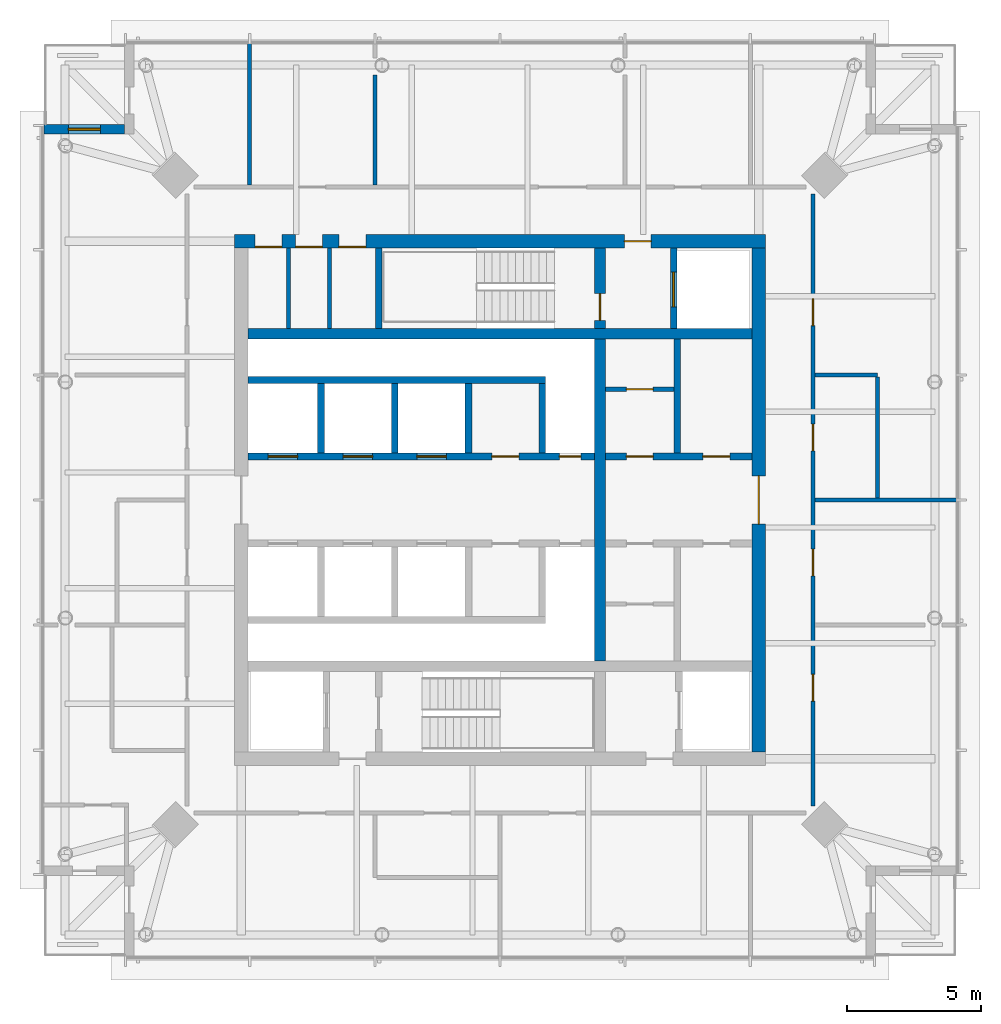
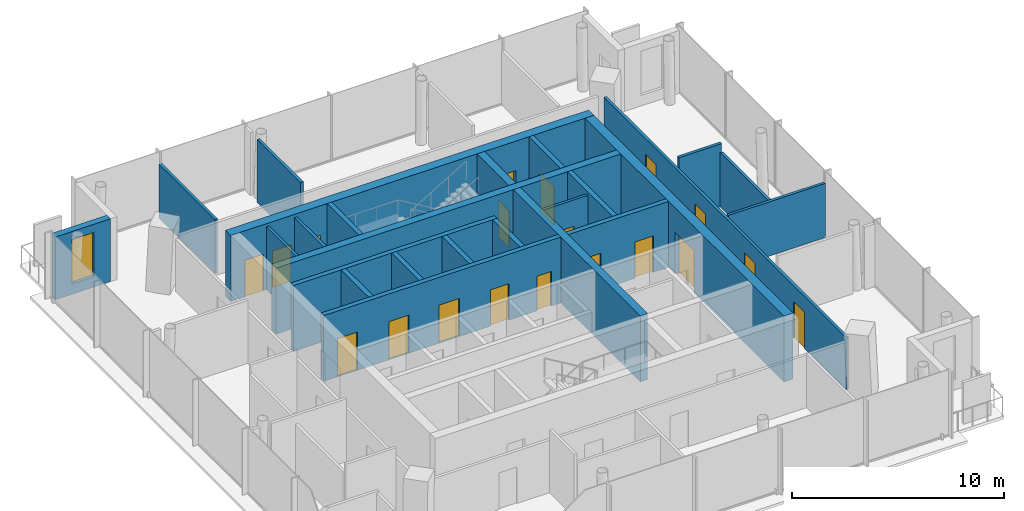
# One storey, part 5 of 9: 25 walls, 19 doors, 1 window, 20 openings.
"""IFC4 building model written with IfcOpenShell, lengths in metres."""

from ifc_helpers import new_model, si_unit, direction, frame, frame_2d, origin, place, context, subcontext, project, spatial, rectangle, extrude, material, layer, layer_set, type_object, element, fill, save


model = new_model("IFC4")

# Units and contexts
model_context = context("Model", 3, precision=1e-05, world=origin(), true_north=direction((0.0, 1.0)))
body_context = subcontext(model_context, "Body", "Model", "MODEL_VIEW")
ifc_project = project(units=[si_unit("LENGTHUNIT", "METRE"), si_unit("AREAUNIT", "SQUARE_METRE"), si_unit("VOLUMEUNIT", "CUBIC_METRE"), si_unit("PLANEANGLEUNIT", "RADIAN"), si_unit("MASSUNIT", "GRAM", prefix="KILO")], contexts=[model_context])

# Site, building, storey
site_placement = place(None, origin())
site = spatial("IfcSite", under=ifc_project, at=site_placement, CompositionType="ELEMENT")
building_placement = place(site_placement, origin())
building = spatial("IfcBuilding", under=site, at=building_placement, Name="Ostroluk Exchange", CompositionType="ELEMENT")
storey_placement = place(building_placement, frame((0.0, 0.0, 264.199951171875)))
storey = spatial("IfcBuildingStorey", under=building, at=storey_placement, Name="L68", CompositionType="ELEMENT", Elevation=264.199951171875)

# Walls
ifc_material_1 = material(Name="Concrete blockwork", Category="masonry")
ifc_layer_1 = layer(ifc_material_1, 0.14990234375)
ifc_layer_set_1 = layer_set([ifc_layer_1], Name="Blockwork plant room wall 150")
wall_type_1 = type_object("IfcWallType", Name="Blockwork plant room wall 150", PredefinedType="SOLIDWALL", material=ifc_layer_set_1)
for number, where, z_axis, x_axis, name in (
    (1, (37.1201171875, 52.39990234375, 0.0), (0.0, 0.0, 1.0), (0.0, 1.0, 0.0), "Core room wall"),
    (2, (38.639892578125, 52.39990234375, 0.0), (0.0, 0.0, 1.0), (0.0, 1.0, 0.0), "Core room wall"),
):
    element("IfcWall", number, at=place(storey_placement, frame(where, z_axis=z_axis, x_axis=x_axis)), inside=storey, type_object=wall_type_1, Name=name, PredefinedType="SOLIDWALL", context=body_context, shape_type="SweptSolid", body=[
        extrude(rectangle(XDim=3.0, YDim=0.14990234375, at=frame_2d((1.5, 0.0))), origin(), (0.0, 0.0, 1.0), 3.6201171875),
    ])

# Wall, opening, door
wall_1_placement = place(storey_placement, frame((48.929931640625, 50.1298828125, 0.0), z_axis=(0.0, 0.0, 1.0), x_axis=(1.0, 0.0, 0.0)))
wall_1 = element("IfcWall", 3, at=wall_1_placement, inside=storey, type_object=wall_type_1, Name="Core room wall", PredefinedType="SOLIDWALL", context=body_context, shape_type="SweptSolid", body=[
    extrude(rectangle(XDim=2.56005859375, YDim=0.14990234375, at=frame_2d((1.280029296875, 0.0))), origin(), (0.0, 0.0, 1.0), 3.6201171875),
])
opening_1_placement = place(wall_1_placement, frame((0.780029296875, 0.0, 0.0)))
opening_1 = element("IfcOpeningElement", 4, at=opening_1_placement, cuts=wall_1, Name="Opening FD60", PredefinedType="OPENING", context=body_context, shape_type="SweptSolid", body=[
    extrude(rectangle(XDim=1.0, YDim=2.10009765625, at=frame_2d((0.5, 1.050048828125))), frame((0.0, 0.0849609375, 0.0), z_axis=(0.0, -1.0, 0.0), x_axis=(1.0, 0.0, 0.0)), (0.0, 0.0, 1.0), 0.169921875),
])
ifc_material_2 = material(Name="Steel", Category="steel")
door_type_1 = type_object("IfcDoorType", Name="Fire door EI 60 1000 x 2100", OperationType="SINGLE_SWING_LEFT", PredefinedType="DOOR", material=ifc_material_2)
door_1_placement = place(opening_1_placement, origin())
door_1 = element("IfcDoor", 5, at=door_1_placement, inside=storey, type_object=door_type_1, Name="Cleaner's store door", OperationType="SINGLE_SWING_LEFT", OverallHeight=2.10009765625, OverallWidth=1.0, PredefinedType="DOOR", context=body_context, shape_type="SweptSolid", body=[
    extrude(rectangle(XDim=1.0, YDim=2.10009765625, at=frame_2d((0.5, 1.050048828125))), frame((0.0, 0.02490234375, 0.0), z_axis=(0.0, -1.0, 0.0), x_axis=(1.0, 0.0, 0.0)), (0.0, 0.0, 1.0), 0.050048828125),
])
fill(opening_1, door_1)

# Walls
ifc_material_3 = material(Name="Concrete C50/60", Category="concrete")
ifc_layer_2 = layer(ifc_material_3, 0.39990234375)
ifc_layer_set_2 = layer_set([ifc_layer_2], Name="Core cross wall 400 C50/60")
wall_type_2 = type_object("IfcWallType", Name="Core cross wall 400 C50/60", PredefinedType="SHEAR", material=ifc_layer_set_2)
wall_2_placement = place(storey_placement, frame((35.60009765625, 52.199951171875, 0.0), z_axis=(0.0, 0.0, 1.0), x_axis=(1.0, 0.0, 0.0)))
element("IfcWall", 6, at=wall_2_placement, inside=storey, type_object=wall_type_2, Name="T1 core wall XN", PredefinedType="SHEAR", context=body_context, shape_type="SweptSolid", body=[
    extrude(rectangle(XDim=18.7998046875, YDim=0.39990234375, at=frame_2d((9.39990234375, 0.0))), origin(), (0.0, 0.0, 1.0), 3.800048828125),
])
wall_3_placement = place(storey_placement, frame((48.72998046875, 40.0, 0.0), z_axis=(0.0, 0.0, 1.0), x_axis=(0.0, 1.0, 0.0)))
element("IfcWall", 7, at=wall_3_placement, inside=storey, type_object=wall_type_2, Name="T1 core wall YE2", PredefinedType="SHEAR", context=body_context, shape_type="SweptSolid", body=[
    extrude(rectangle(XDim=12.0, YDim=0.39990234375, at=frame_2d((6.0, 0.0))), origin(), (0.0, 0.0, 1.0), 3.800048828125),
])

# Wall, opening, door
wall_4_placement = place(storey_placement, frame((48.72998046875, 52.39990234375, 0.0), z_axis=(0.0, 0.0, 1.0), x_axis=(0.0, 1.0, 0.0)))
wall_4 = element("IfcWall", 8, at=wall_4_placement, inside=storey, type_object=wall_type_2, Name="T1 core wall YE3", PredefinedType="SHEAR", context=body_context, shape_type="SweptSolid", body=[
    extrude(rectangle(XDim=3.0, YDim=0.39990234375, at=frame_2d((1.5, 0.0))), origin(), (0.0, 0.0, 1.0), 3.800048828125),
])
opening_2_placement = place(wall_4_placement, frame((0.300048828125, 0.0, 0.0)))
opening_2 = element("IfcOpeningElement", 9, at=opening_2_placement, cuts=wall_4, Name="Opening FD60", PredefinedType="OPENING", context=body_context, shape_type="SweptSolid", body=[
    extrude(rectangle(XDim=1.0, YDim=2.10009765625, at=frame_2d((0.5, 1.050048828125))), frame((0.0, 0.2099609375, 0.0), z_axis=(0.0, -1.0, 0.0), x_axis=(1.0, 0.0, 0.0)), (0.0, 0.0, 1.0), 0.419921875),
])
door_2_placement = place(opening_2_placement, origin())
door_2 = element("IfcDoor", 10, at=door_2_placement, inside=storey, type_object=door_type_1, Name="Stair T1-S2 door", OperationType="SINGLE_SWING_LEFT", OverallHeight=2.10009765625, OverallWidth=1.0, PredefinedType="DOOR", context=body_context, shape_type="SweptSolid", body=[
    extrude(rectangle(XDim=1.0, YDim=2.10009765625, at=frame_2d((0.5, 1.050048828125))), frame((0.0, 0.02490234375, 0.0), z_axis=(0.0, -1.0, 0.0), x_axis=(1.0, 0.0, 0.0)), (0.0, 0.0, 1.0), 0.050048828125),
])
fill(opening_2, door_2)

# Wall
ifc_material_4 = material(Name="Concrete C40/50", Category="concrete")
ifc_layer_3 = layer(ifc_material_4, 0.25)
ifc_layer_set_3 = layer_set([ifc_layer_3], Name="Core shaft wall 250")
wall_type_3 = type_object("IfcWallType", Name="Core shaft wall 250", PredefinedType="SHEAR", material=ifc_layer_set_3)
wall_5_placement = place(storey_placement, frame((40.47509765625, 52.39990234375, 0.0), z_axis=(0.0, 0.0, 1.0), x_axis=(0.0, 1.0, 0.0)))
element("IfcWall", 11, at=wall_5_placement, inside=storey, type_object=wall_type_3, Name="Stair shaft wall", PredefinedType="SHEAR", context=body_context, shape_type="SweptSolid", body=[
    extrude(rectangle(XDim=3.0, YDim=0.25, at=frame_2d((1.5, 0.0))), origin(), (0.0, 0.0, 1.0), 3.800048828125),
])

# Wall, opening, door
wall_6_placement = place(storey_placement, frame((51.47509765625, 52.39990234375, 0.0), z_axis=(0.0, 0.0, 1.0), x_axis=(0.0, 1.0, 0.0)))
wall_6 = element("IfcWall", 12, at=wall_6_placement, inside=storey, type_object=wall_type_3, Name="Firefighting lift shaft wall", PredefinedType="SHEAR", context=body_context, shape_type="SweptSolid", body=[
    extrude(rectangle(XDim=3.0, YDim=0.25, at=frame_2d((1.5, 0.0))), origin(), (0.0, 0.0, 1.0), 3.800048828125),
])
opening_3_placement = place(wall_6_placement, frame((0.800048828125, 0.0, 0.0)))
opening_3 = element("IfcOpeningElement", 13, at=opening_3_placement, cuts=wall_6, Name="Opening LD2", PredefinedType="OPENING", context=body_context, shape_type="SweptSolid", body=[
    extrude(rectangle(XDim=1.300048828125, YDim=2.199951171875, at=frame_2d((0.64990234375, 1.10009765625))), frame((0.0, 0.135009765625, 0.0), z_axis=(0.0, -1.0, 0.0), x_axis=(1.0, 0.0, 0.0)), (0.0, 0.0, 1.0), 0.27001953125),
])
ifc_material_5 = material(Name="Stainless steel", Category="steel")
door_type_2 = type_object("IfcDoorType", Name="Lift landing door E 60 1300 x 2200", OperationType="DOUBLE_DOOR_SLIDING", PredefinedType="DOOR", material=ifc_material_5)
door_3_placement = place(opening_3_placement, origin())
door_3 = element("IfcDoor", 14, at=door_3_placement, inside=storey, type_object=door_type_2, Name="Lift FL2 landing door", OperationType="DOUBLE_DOOR_SLIDING", OverallHeight=2.199951171875, OverallWidth=1.300048828125, PredefinedType="DOOR", context=body_context, shape_type="SweptSolid", body=[
    extrude(rectangle(XDim=1.300048828125, YDim=2.199951171875, at=frame_2d((0.64990234375, 1.10009765625))), frame((0.0, 0.02490234375, 0.0), z_axis=(0.0, -1.0, 0.0), x_axis=(1.0, 0.0, 0.0)), (0.0, 0.0, 1.0), 0.050048828125),
])
fill(opening_3, door_3)

# Walls
for number, where, z_axis, x_axis, name in (
    (15, (38.324951171875, 47.75, 0.0), (0.0, 0.0, 1.0), (0.0, 1.0, 0.0), "Lift shaft wall"),
    (16, (41.074951171875, 47.75, 0.0), (0.0, 0.0, 1.0), (0.0, 1.0, 0.0), "Lift shaft wall"),
    (17, (43.824951171875, 47.75, 0.0), (0.0, 0.0, 1.0), (0.0, 1.0, 0.0), "Lift shaft wall"),
    (18, (46.574951171875, 47.75, 0.0), (0.0, 0.0, 1.0), (0.0, 1.0, 0.0), "Lift shaft wall"),
):
    element("IfcWall", number, at=place(storey_placement, frame(where, z_axis=z_axis, x_axis=x_axis)), inside=storey, type_object=wall_type_3, Name=name, PredefinedType="SHEAR", context=body_context, shape_type="SweptSolid", body=[
        extrude(rectangle(XDim=2.60009765625, YDim=0.25, at=frame_2d((1.300048828125, 0.0))), origin(), (0.0, 0.0, 1.0), 3.800048828125),
    ])
wall_7_placement = place(storey_placement, frame((35.60009765625, 50.47509765625, 0.0), z_axis=(0.0, 0.0, 1.0), x_axis=(1.0, 0.0, 0.0)))
element("IfcWall", 19, at=wall_7_placement, inside=storey, type_object=wall_type_3, Name="Lift shaft wall", PredefinedType="SHEAR", context=body_context, shape_type="SweptSolid", body=[
    extrude(rectangle(XDim=11.099853515625, YDim=0.25, at=frame_2d((5.5498046875, 0.0))), origin(), (0.0, 0.0, 1.0), 3.800048828125),
])

# Wall, openings, doors
wall_8_placement = place(storey_placement, frame((35.60009765625, 47.625, 0.0), z_axis=(0.0, 0.0, 1.0), x_axis=(1.0, 0.0, 0.0)))
wall_8 = element("IfcWall", 20, at=wall_8_placement, inside=storey, type_object=wall_type_3, Name="Lift shaft front wall", PredefinedType="SHEAR", context=body_context, shape_type="SweptSolid", body=[
    extrude(rectangle(XDim=12.929931640625, YDim=0.25, at=frame_2d((6.46484375, 0.0))), origin(), (0.0, 0.0, 1.0), 3.800048828125),
])
opening_4_placement = place(wall_8_placement, frame((0.75, 0.0, 0.0)))
opening_4 = element("IfcOpeningElement", 21, at=opening_4_placement, cuts=wall_8, Name="Opening LD", PredefinedType="OPENING", context=body_context, shape_type="SweptSolid", body=[
    extrude(rectangle(XDim=1.10009765625, YDim=2.199951171875, at=frame_2d((0.550048828125, 1.10009765625))), frame((0.0, 0.135009765625, 0.0), z_axis=(0.0, -1.0, 0.0), x_axis=(1.0, 0.0, 0.0)), (0.0, 0.0, 1.0), 0.27001953125),
])
opening_5_placement = place(wall_8_placement, frame((3.550048828125, 0.0, 0.0)))
opening_5 = element("IfcOpeningElement", 22, at=opening_5_placement, cuts=wall_8, Name="Opening LD", PredefinedType="OPENING", context=body_context, shape_type="SweptSolid", body=[
    extrude(rectangle(XDim=1.10009765625, YDim=2.199951171875, at=frame_2d((0.550048828125, 1.10009765625))), frame((0.0, 0.135009765625, 0.0), z_axis=(0.0, -1.0, 0.0), x_axis=(1.0, 0.0, 0.0)), (0.0, 0.0, 1.0), 0.27001953125),
])
opening_6_placement = place(wall_8_placement, frame((6.300048828125, 0.0, 0.0)))
opening_6 = element("IfcOpeningElement", 23, at=opening_6_placement, cuts=wall_8, Name="Opening LD", PredefinedType="OPENING", context=body_context, shape_type="SweptSolid", body=[
    extrude(rectangle(XDim=1.10009765625, YDim=2.199951171875, at=frame_2d((0.550048828125, 1.10009765625))), frame((0.0, 0.135009765625, 0.0), z_axis=(0.0, -1.0, 0.0), x_axis=(1.0, 0.0, 0.0)), (0.0, 0.0, 1.0), 0.27001953125),
])
opening_7_placement = place(wall_8_placement, frame((9.10009765625, 0.0, 0.0)))
opening_7 = element("IfcOpeningElement", 24, at=opening_7_placement, cuts=wall_8, Name="Opening FD60", PredefinedType="OPENING", context=body_context, shape_type="SweptSolid", body=[
    extrude(rectangle(XDim=1.0, YDim=2.10009765625, at=frame_2d((0.5, 1.050048828125))), frame((0.0, 0.135009765625, 0.0), z_axis=(0.0, -1.0, 0.0), x_axis=(1.0, 0.0, 0.0)), (0.0, 0.0, 1.0), 0.27001953125),
])
opening_8_placement = place(wall_8_placement, frame((11.614990234375, 0.0, 0.0)))
opening_8 = element("IfcOpeningElement", 25, at=opening_8_placement, cuts=wall_8, Name="Opening RD60", PredefinedType="OPENING", context=body_context, shape_type="SweptSolid", body=[
    extrude(rectangle(XDim=0.800048828125, YDim=2.0, at=frame_2d((0.39990234375, 1.0))), frame((0.0, 0.135009765625, 0.0), z_axis=(0.0, -1.0, 0.0), x_axis=(1.0, 0.0, 0.0)), (0.0, 0.0, 1.0), 0.27001953125),
])
door_4_placement = place(opening_7_placement, origin())
door_4 = element("IfcDoor", 26, at=door_4_placement, inside=storey, type_object=door_type_1, Name="Core room door", OperationType="SINGLE_SWING_RIGHT", OverallHeight=2.10009765625, OverallWidth=1.0, PredefinedType="DOOR", context=body_context, shape_type="SweptSolid", body=[
    extrude(rectangle(XDim=1.0, YDim=2.10009765625, at=frame_2d((0.5, 1.050048828125))), frame((0.0, 0.02490234375, 0.0), z_axis=(0.0, -1.0, 0.0), x_axis=(1.0, 0.0, 0.0)), (0.0, 0.0, 1.0), 0.050048828125),
])
fill(opening_7, door_4)
ifc_material_6 = material(Name="Stainless steel", Category="steel")
door_type_3 = type_object("IfcDoorType", Name="Lift landing door E 60 1100 x 2200", OperationType="DOUBLE_DOOR_SLIDING", PredefinedType="DOOR", material=ifc_material_6)
door_5_placement = place(opening_4_placement, origin())
door_5 = element("IfcDoor", 27, at=door_5_placement, inside=storey, type_object=door_type_3, Name="Lift PL-T1 landing door", OperationType="DOUBLE_DOOR_SLIDING", OverallHeight=2.199951171875, OverallWidth=1.10009765625, PredefinedType="DOOR", context=body_context, shape_type="SweptSolid", body=[
    extrude(rectangle(XDim=1.10009765625, YDim=2.199951171875, at=frame_2d((0.550048828125, 1.10009765625))), frame((0.0, 0.02490234375, 0.0), z_axis=(0.0, -1.0, 0.0), x_axis=(1.0, 0.0, 0.0)), (0.0, 0.0, 1.0), 0.050048828125),
])
fill(opening_4, door_5)
door_6_placement = place(opening_5_placement, origin())
door_6 = element("IfcDoor", 28, at=door_6_placement, inside=storey, type_object=door_type_3, Name="Lift PL-T2 landing door", OperationType="DOUBLE_DOOR_SLIDING", OverallHeight=2.199951171875, OverallWidth=1.10009765625, PredefinedType="DOOR", context=body_context, shape_type="SweptSolid", body=[
    extrude(rectangle(XDim=1.10009765625, YDim=2.199951171875, at=frame_2d((0.550048828125, 1.10009765625))), frame((0.0, 0.02490234375, 0.0), z_axis=(0.0, -1.0, 0.0), x_axis=(1.0, 0.0, 0.0)), (0.0, 0.0, 1.0), 0.050048828125),
])
fill(opening_5, door_6)
door_7_placement = place(opening_6_placement, origin())
door_7 = element("IfcDoor", 29, at=door_7_placement, inside=storey, type_object=door_type_3, Name="Lift PL-T3 landing door", OperationType="DOUBLE_DOOR_SLIDING", OverallHeight=2.199951171875, OverallWidth=1.10009765625, PredefinedType="DOOR", context=body_context, shape_type="SweptSolid", body=[
    extrude(rectangle(XDim=1.10009765625, YDim=2.199951171875, at=frame_2d((0.550048828125, 1.10009765625))), frame((0.0, 0.02490234375, 0.0), z_axis=(0.0, -1.0, 0.0), x_axis=(1.0, 0.0, 0.0)), (0.0, 0.0, 1.0), 0.050048828125),
])
fill(opening_6, door_7)
ifc_material_7 = material(Name="Steel", Category="steel")
door_type_4 = type_object("IfcDoorType", Name="Riser access door EI 60 800 x 2000", OperationType="SINGLE_SWING_LEFT", PredefinedType="DOOR", material=ifc_material_7)
door_8_placement = place(opening_8_placement, origin())
door_8 = element("IfcDoor", 30, at=door_8_placement, inside=storey, type_object=door_type_4, Name="Riser access door", OperationType="SINGLE_SWING_RIGHT", OverallHeight=2.0, OverallWidth=0.800048828125, PredefinedType="DOOR", context=body_context, shape_type="SweptSolid", body=[
    extrude(rectangle(XDim=0.800048828125, YDim=2.0, at=frame_2d((0.39990234375, 1.0))), frame((0.0, 0.02490234375, 0.0), z_axis=(0.0, -1.0, 0.0), x_axis=(1.0, 0.0, 0.0)), (0.0, 0.0, 1.0), 0.050048828125),
])
fill(opening_8, door_8)

# Wall
wall_9_placement = place(storey_placement, frame((51.614990234375, 47.75, 0.0), z_axis=(0.0, 0.0, 1.0), x_axis=(0.0, 1.0, 0.0)))
element("IfcWall", 31, at=wall_9_placement, inside=storey, type_object=wall_type_3, Name="Lift shaft wall", PredefinedType="SHEAR", context=body_context, shape_type="SweptSolid", body=[
    extrude(rectangle(XDim=4.25, YDim=0.25, at=frame_2d((2.125, 0.0))), origin(), (0.0, 0.0, 1.0), 3.800048828125),
])

# Wall, openings, doors
wall_10_placement = place(storey_placement, frame((48.929931640625, 47.625, 0.0), z_axis=(0.0, 0.0, 1.0), x_axis=(1.0, 0.0, 0.0)))
wall_10 = element("IfcWall", 32, at=wall_10_placement, inside=storey, type_object=wall_type_3, Name="Lift shaft front wall", PredefinedType="SHEAR", context=body_context, shape_type="SweptSolid", body=[
    extrude(rectangle(XDim=5.469970703125, YDim=0.25, at=frame_2d((2.73486328125, 0.0))), origin(), (0.0, 0.0, 1.0), 3.800048828125),
])
opening_9_placement = place(wall_10_placement, frame((0.780029296875, 0.0, 0.0)))
opening_9 = element("IfcOpeningElement", 33, at=opening_9_placement, cuts=wall_10, Name="Opening FD60", PredefinedType="OPENING", context=body_context, shape_type="SweptSolid", body=[
    extrude(rectangle(XDim=1.0, YDim=2.10009765625, at=frame_2d((0.5, 1.050048828125))), frame((0.0, 0.135009765625, 0.0), z_axis=(0.0, -1.0, 0.0), x_axis=(1.0, 0.0, 0.0)), (0.0, 0.0, 1.0), 0.27001953125),
])
opening_10_placement = place(wall_10_placement, frame((3.639892578125, 0.0, 0.0)))
opening_10 = element("IfcOpeningElement", 34, at=opening_10_placement, cuts=wall_10, Name="Opening FD60", PredefinedType="OPENING", context=body_context, shape_type="SweptSolid", body=[
    extrude(rectangle(XDim=1.0, YDim=2.10009765625, at=frame_2d((0.5, 1.050048828125))), frame((0.0, 0.135009765625, 0.0), z_axis=(0.0, -1.0, 0.0), x_axis=(1.0, 0.0, 0.0)), (0.0, 0.0, 1.0), 0.27001953125),
])
door_9_placement = place(opening_9_placement, origin())
door_9 = element("IfcDoor", 35, at=door_9_placement, inside=storey, type_object=door_type_1, Name="Core room door", OperationType="SINGLE_SWING_LEFT", OverallHeight=2.10009765625, OverallWidth=1.0, PredefinedType="DOOR", context=body_context, shape_type="SweptSolid", body=[
    extrude(rectangle(XDim=1.0, YDim=2.10009765625, at=frame_2d((0.5, 1.050048828125))), frame((0.0, 0.02490234375, 0.0), z_axis=(0.0, -1.0, 0.0), x_axis=(1.0, 0.0, 0.0)), (0.0, 0.0, 1.0), 0.050048828125),
])
fill(opening_9, door_9)
door_10_placement = place(opening_10_placement, origin())
door_10 = element("IfcDoor", 36, at=door_10_placement, inside=storey, type_object=door_type_1, Name="Core room door", OperationType="SINGLE_SWING_RIGHT", OverallHeight=2.10009765625, OverallWidth=1.0, PredefinedType="DOOR", context=body_context, shape_type="SweptSolid", body=[
    extrude(rectangle(XDim=1.0, YDim=2.10009765625, at=frame_2d((0.5, 1.050048828125))), frame((0.0, 0.02490234375, 0.0), z_axis=(0.0, -1.0, 0.0), x_axis=(1.0, 0.0, 0.0)), (0.0, 0.0, 1.0), 0.050048828125),
])
fill(opening_10, door_10)

ifc_material_8 = material(Name="Concrete C50/60", Category="concrete")
ifc_layer_4 = layer(ifc_material_8, 0.5)
ifc_layer_set_4 = layer_set([ifc_layer_4], Name="Core wall 500 C50/60")
wall_type_4 = type_object("IfcWallType", Name="Core wall 500 C50/60", PredefinedType="SHEAR", material=ifc_layer_set_4)
wall_11_placement = place(storey_placement, frame((35.10009765625, 55.64990234375, 0.0), z_axis=(0.0, 0.0, 1.0), x_axis=(1.0, 0.0, 0.0)))
wall_11 = element("IfcWall", 37, at=wall_11_placement, inside=storey, type_object=wall_type_4, Name="T1 core wall N", PredefinedType="SHEAR", context=body_context, shape_type="SweptSolid", body=[
    extrude(rectangle(XDim=19.7998046875, YDim=0.5, at=frame_2d((9.89990234375, 0.0))), origin(), (0.0, 0.0, 1.0), 3.800048828125),
])
opening_11_placement = place(wall_11_placement, frame((14.5400390625, 0.0, 0.0)))
opening_11 = element("IfcOpeningElement", 38, at=opening_11_placement, cuts=wall_11, Name="Opening FD60", PredefinedType="OPENING", context=body_context, shape_type="SweptSolid", body=[
    extrude(rectangle(XDim=1.0, YDim=2.10009765625, at=frame_2d((0.5, 1.050048828125))), frame((0.0, 0.260009765625, 0.0), z_axis=(0.0, -1.0, 0.0), x_axis=(1.0, 0.0, 0.0)), (0.0, 0.0, 1.0), 0.52001953125),
])
opening_12_placement = place(wall_11_placement, frame((0.77001953125, 0.0, 0.0)))
opening_12 = element("IfcOpeningElement", 39, at=opening_12_placement, cuts=wall_11, Name="Opening FD60", PredefinedType="OPENING", context=body_context, shape_type="SweptSolid", body=[
    extrude(rectangle(XDim=1.0, YDim=2.10009765625, at=frame_2d((0.5, 1.050048828125))), frame((0.0, 0.260009765625, 0.0), z_axis=(0.0, -1.0, 0.0), x_axis=(1.0, 0.0, 0.0)), (0.0, 0.0, 1.0), 0.52001953125),
])
opening_13_placement = place(wall_11_placement, frame((2.280029296875, 0.0, 0.0)))
opening_13 = element("IfcOpeningElement", 40, at=opening_13_placement, cuts=wall_11, Name="Opening FD60", PredefinedType="OPENING", context=body_context, shape_type="SweptSolid", body=[
    extrude(rectangle(XDim=1.0, YDim=2.10009765625, at=frame_2d((0.5, 1.050048828125))), frame((0.0, 0.260009765625, 0.0), z_axis=(0.0, -1.0, 0.0), x_axis=(1.0, 0.0, 0.0)), (0.0, 0.0, 1.0), 0.52001953125),
])
opening_14_placement = place(wall_11_placement, frame((3.89501953125, 0.0, 0.0)))
opening_14 = element("IfcOpeningElement", 41, at=opening_14_placement, cuts=wall_11, Name="Opening FD60", PredefinedType="OPENING", context=body_context, shape_type="SweptSolid", body=[
    extrude(rectangle(XDim=1.0, YDim=2.10009765625, at=frame_2d((0.5, 1.050048828125))), frame((0.0, 0.260009765625, 0.0), z_axis=(0.0, -1.0, 0.0), x_axis=(1.0, 0.0, 0.0)), (0.0, 0.0, 1.0), 0.52001953125),
])
door_11_placement = place(opening_11_placement, origin())
door_11 = element("IfcDoor", 42, at=door_11_placement, inside=storey, type_object=door_type_1, Name="Firefighting lobby door", OperationType="SINGLE_SWING_RIGHT", OverallHeight=2.10009765625, OverallWidth=1.0, PredefinedType="DOOR", context=body_context, shape_type="SweptSolid", body=[
    extrude(rectangle(XDim=1.0, YDim=2.10009765625, at=frame_2d((0.5, 1.050048828125))), frame((0.0, 0.02490234375, 0.0), z_axis=(0.0, -1.0, 0.0), x_axis=(1.0, 0.0, 0.0)), (0.0, 0.0, 1.0), 0.050048828125),
])
fill(opening_11, door_11)
door_12_placement = place(opening_12_placement, origin())
door_12 = element("IfcDoor", 43, at=door_12_placement, inside=storey, type_object=door_type_1, Name="Cleaner's store door", OperationType="SINGLE_SWING_LEFT", OverallHeight=2.10009765625, OverallWidth=1.0, PredefinedType="DOOR", context=body_context, shape_type="SweptSolid", body=[
    extrude(rectangle(XDim=1.0, YDim=2.10009765625, at=frame_2d((0.5, 1.050048828125))), frame((0.0, -0.18994140625, 0.0), z_axis=(0.0, -1.0, 0.0), x_axis=(1.0, 0.0, 0.0)), (0.0, 0.0, 1.0), 0.050048828125),
])
fill(opening_12, door_12)
door_13_placement = place(opening_13_placement, origin())
door_13 = element("IfcDoor", 44, at=door_13_placement, inside=storey, type_object=door_type_1, Name="Store door", OperationType="SINGLE_SWING_LEFT", OverallHeight=2.10009765625, OverallWidth=1.0, PredefinedType="DOOR", context=body_context, shape_type="SweptSolid", body=[
    extrude(rectangle(XDim=1.0, YDim=2.10009765625, at=frame_2d((0.5, 1.050048828125))), frame((0.0, -0.18994140625, 0.0), z_axis=(0.0, -1.0, 0.0), x_axis=(1.0, 0.0, 0.0)), (0.0, 0.0, 1.0), 0.050048828125),
])
fill(opening_13, door_13)
door_14_placement = place(opening_14_placement, origin())
door_14 = element("IfcDoor", 45, at=door_14_placement, inside=storey, type_object=door_type_1, Name="Comms room door", OperationType="SINGLE_SWING_LEFT", OverallHeight=2.10009765625, OverallWidth=1.0, PredefinedType="DOOR", context=body_context, shape_type="SweptSolid", body=[
    extrude(rectangle(XDim=1.0, YDim=2.10009765625, at=frame_2d((0.5, 1.050048828125))), frame((0.0, -0.18994140625, 0.0), z_axis=(0.0, -1.0, 0.0), x_axis=(1.0, 0.0, 0.0)), (0.0, 0.0, 1.0), 0.050048828125),
])
fill(opening_14, door_14)

# Wall, opening, door
wall_12_placement = place(storey_placement, frame((54.64990234375, 36.60009765625, 0.0), z_axis=(0.0, 0.0, 1.0), x_axis=(0.0, 1.0, 0.0)))
wall_12 = element("IfcWall", 46, at=wall_12_placement, inside=storey, type_object=wall_type_4, Name="T1 core wall E", PredefinedType="SHEAR", context=body_context, shape_type="SweptSolid", body=[
    extrude(rectangle(XDim=18.7998046875, YDim=0.5, at=frame_2d((9.39990234375, 0.0))), origin(), (0.0, 0.0, 1.0), 3.800048828125),
])
opening_15_placement = place(wall_12_placement, frame((8.5, 0.0, 0.0)))
opening_15 = element("IfcOpeningElement", 47, at=opening_15_placement, cuts=wall_12, Name="Opening FD30D", PredefinedType="OPENING", context=body_context, shape_type="SweptSolid", body=[
    extrude(rectangle(XDim=1.800048828125, YDim=2.39990234375, at=frame_2d((0.89990234375, 1.199951171875))), frame((0.0, 0.260009765625, 0.0), z_axis=(0.0, -1.0, 0.0), x_axis=(1.0, 0.0, 0.0)), (0.0, 0.0, 1.0), 0.52001953125),
])
ifc_material_9 = material(Name="Timber", Category="wood")
door_type_5 = type_object("IfcDoorType", Name="Lobby double door EI 30 1800 x 2400", OperationType="DOUBLE_DOOR_SINGLE_SWING", PredefinedType="DOOR", material=ifc_material_9)
door_15_placement = place(opening_15_placement, origin())
door_15 = element("IfcDoor", 48, at=door_15_placement, inside=storey, type_object=door_type_5, Name="Lift lobby doors", OperationType="DOUBLE_DOOR_SINGLE_SWING", OverallHeight=2.39990234375, OverallWidth=1.800048828125, PredefinedType="DOOR", context=body_context, shape_type="SweptSolid", body=[
    extrude(rectangle(XDim=1.800048828125, YDim=2.39990234375, at=frame_2d((0.89990234375, 1.199951171875))), frame((0.0, 0.02490234375, 0.0), z_axis=(0.0, -1.0, 0.0), x_axis=(1.0, 0.0, 0.0)), (0.0, 0.0, 1.0), 0.050048828125),
])
fill(opening_15, door_15)

# Wall, opening, window
ifc_material_10 = material(Name="Limestone", Category="masonry")
ifc_layer_5 = layer(ifc_material_10, 0.35009765625)
ifc_layer_set_5 = layer_set([ifc_layer_5], Name="Limestone facade wall 350")
wall_type_5 = type_object("IfcWallType", Name="Limestone facade wall 350", PredefinedType="SOLIDWALL", material=ifc_layer_set_5)
wall_13_placement = place(storey_placement, frame((31.0, 59.824951171875, 0.0), z_axis=(0.0, 0.0, 1.0), x_axis=(-1.0, 0.0, 0.0)))
wall_13 = element("IfcWall", 49, at=wall_13_placement, inside=storey, type_object=wall_type_5, Name="Office tower NW corner wall L68 b", PredefinedType="SOLIDWALL", context=body_context, shape_type="SweptSolid", body=[
    extrude(rectangle(XDim=3.0, YDim=0.35009765625, at=frame_2d((1.5, 0.0))), origin(), (0.0, 0.0, 1.0), 3.6201171875),
])
opening_16_placement = place(wall_13_placement, frame((0.89990234375, 0.0, 0.60009765625)))
opening_16 = element("IfcOpeningElement", 50, at=opening_16_placement, cuts=wall_13, Name="Opening WN-L1", PredefinedType="OPENING", context=body_context, shape_type="SweptSolid", body=[
    extrude(rectangle(XDim=1.199951171875, YDim=2.550048828125, at=frame_2d((0.60009765625, 1.27490234375))), frame((0.0, 0.18505859375, 0.0), z_axis=(0.0, -1.0, 0.0), x_axis=(1.0, 0.0, 0.0)), (0.0, 0.0, 1.0), 0.3701171875),
])
ifc_material_11 = material(Name="Laminated clear glass", Category="glass")
window_type = type_object("IfcWindowType", Name="Lancet window 1200 x 2550", PartitioningType="SINGLE_PANEL", PredefinedType="WINDOW", material=ifc_material_11)
window_placement = place(opening_16_placement, origin())
window = element("IfcWindow", 51, at=window_placement, inside=storey, type_object=window_type, Name="Office tower NW lancet window L68", OverallHeight=2.550048828125, OverallWidth=1.199951171875, PartitioningType="SINGLE_PANEL", PredefinedType="WINDOW", context=body_context, shape_type="SweptSolid", body=[
    extrude(rectangle(XDim=1.199951171875, YDim=2.550048828125, at=frame_2d((0.60009765625, 1.27490234375))), frame((0.0, 0.030029296875, 0.0), z_axis=(0.0, -1.0, 0.0), x_axis=(1.0, 0.0, 0.0)), (0.0, 0.0, 1.0), 0.06005859375),
])
fill(opening_16, window)

# Wall
ifc_material_12 = material(Name="Gypsum plasterboard partition", Category="gypsum")
ifc_layer_6 = layer(ifc_material_12, 0.14990234375)
ifc_layer_set_6 = layer_set([ifc_layer_6], Name="Plasterboard partition 150")
wall_type_6 = type_object("IfcWallType", Name="Plasterboard partition 150", PredefinedType="PARTITIONING", material=ifc_layer_set_6)
wall_14_placement = place(storey_placement, frame((59.074951171875, 46.074951171875, 0.0), z_axis=(0.0, 0.0, 1.0), x_axis=(0.0, 1.0, 0.0)))
element("IfcWall", 52, at=wall_14_placement, inside=storey, type_object=wall_type_6, Name="Partition", PredefinedType="PARTITIONING", context=body_context, shape_type="SweptSolid", body=[
    extrude(rectangle(XDim=4.5166015625, YDim=0.14990234375, at=frame_2d((2.25830078125, 0.0))), origin(), (0.0, 0.0, 1.0), 3.1201171875),
])

# Wall, openings, doors
wall_15_placement = place(storey_placement, frame((56.675048828125, 34.584228515625, 0.0), z_axis=(0.0, 0.0, 1.0), x_axis=(0.0, 1.0, 0.0)))
wall_15 = element("IfcWall", 53, at=wall_15_placement, inside=storey, type_object=wall_type_6, Name="Partition", PredefinedType="PARTITIONING", context=body_context, shape_type="SweptSolid", body=[
    extrude(rectangle(XDim=22.83154296875, YDim=0.14990234375, at=frame_2d((11.415771484375, 0.0))), origin(), (0.0, 0.0, 1.0), 3.02001953125),
])
opening_17_placement = place(wall_15_placement, frame((3.915771484375, 0.0, 0.0)))
opening_17 = element("IfcOpeningElement", 54, at=opening_17_placement, cuts=wall_15, Name="Opening D-03", PredefinedType="OPENING", context=body_context, shape_type="SweptSolid", body=[
    extrude(rectangle(XDim=1.0, YDim=2.10009765625, at=frame_2d((0.5, 1.050048828125))), frame((0.0, 0.0849609375, 0.0), z_axis=(0.0, -1.0, 0.0), x_axis=(1.0, 0.0, 0.0)), (0.0, 0.0, 1.0), 0.169921875),
])
opening_18_placement = place(wall_15_placement, frame((8.58251953125, 0.0, 0.0)))
opening_18 = element("IfcOpeningElement", 55, at=opening_18_placement, cuts=wall_15, Name="Opening D-03", PredefinedType="OPENING", context=body_context, shape_type="SweptSolid", body=[
    extrude(rectangle(XDim=1.0, YDim=2.10009765625, at=frame_2d((0.5, 1.050048828125))), frame((0.0, 0.0849609375, 0.0), z_axis=(0.0, -1.0, 0.0), x_axis=(1.0, 0.0, 0.0)), (0.0, 0.0, 1.0), 0.169921875),
])
opening_19_placement = place(wall_15_placement, frame((13.2490234375, 0.0, 0.0)))
opening_19 = element("IfcOpeningElement", 56, at=opening_19_placement, cuts=wall_15, Name="Opening D-03", PredefinedType="OPENING", context=body_context, shape_type="SweptSolid", body=[
    extrude(rectangle(XDim=1.0, YDim=2.10009765625, at=frame_2d((0.5, 1.050048828125))), frame((0.0, 0.0849609375, 0.0), z_axis=(0.0, -1.0, 0.0), x_axis=(1.0, 0.0, 0.0)), (0.0, 0.0, 1.0), 0.169921875),
])
opening_20_placement = place(wall_15_placement, frame((17.915771484375, 0.0, 0.0)))
opening_20 = element("IfcOpeningElement", 57, at=opening_20_placement, cuts=wall_15, Name="Opening D-03", PredefinedType="OPENING", context=body_context, shape_type="SweptSolid", body=[
    extrude(rectangle(XDim=1.0, YDim=2.10009765625, at=frame_2d((0.5, 1.050048828125))), frame((0.0, 0.0849609375, 0.0), z_axis=(0.0, -1.0, 0.0), x_axis=(1.0, 0.0, 0.0)), (0.0, 0.0, 1.0), 0.169921875),
])
ifc_material_13 = material(Name="Timber", Category="wood")
door_type_6 = type_object("IfcDoorType", Name="Internal door 1000 x 2100", OperationType="SINGLE_SWING_LEFT", PredefinedType="DOOR", material=ifc_material_13)
door_16_placement = place(opening_17_placement, origin())
door_16 = element("IfcDoor", 58, at=door_16_placement, inside=storey, type_object=door_type_6, Name="Corner office door", OperationType="SINGLE_SWING_LEFT", OverallHeight=2.10009765625, OverallWidth=1.0, PredefinedType="DOOR", context=body_context, shape_type="SweptSolid", body=[
    extrude(rectangle(XDim=1.0, YDim=2.10009765625, at=frame_2d((0.5, 1.050048828125))), frame((0.0, 0.02490234375, 0.0), z_axis=(0.0, -1.0, 0.0), x_axis=(1.0, 0.0, 0.0)), (0.0, 0.0, 1.0), 0.050048828125),
])
fill(opening_17, door_16)
door_17_placement = place(opening_18_placement, origin())
door_17 = element("IfcDoor", 59, at=door_17_placement, inside=storey, type_object=door_type_6, Name="Meeting room door", OperationType="SINGLE_SWING_LEFT", OverallHeight=2.10009765625, OverallWidth=1.0, PredefinedType="DOOR", context=body_context, shape_type="SweptSolid", body=[
    extrude(rectangle(XDim=1.0, YDim=2.10009765625, at=frame_2d((0.5, 1.050048828125))), frame((0.0, 0.02490234375, 0.0), z_axis=(0.0, -1.0, 0.0), x_axis=(1.0, 0.0, 0.0)), (0.0, 0.0, 1.0), 0.050048828125),
])
fill(opening_18, door_17)
door_18_placement = place(opening_19_placement, origin())
door_18 = element("IfcDoor", 60, at=door_18_placement, inside=storey, type_object=door_type_6, Name="Print and store room door", OperationType="SINGLE_SWING_RIGHT", OverallHeight=2.10009765625, OverallWidth=1.0, PredefinedType="DOOR", context=body_context, shape_type="SweptSolid", body=[
    extrude(rectangle(XDim=1.0, YDim=2.10009765625, at=frame_2d((0.5, 1.050048828125))), frame((0.0, 0.02490234375, 0.0), z_axis=(0.0, -1.0, 0.0), x_axis=(1.0, 0.0, 0.0)), (0.0, 0.0, 1.0), 0.050048828125),
])
fill(opening_19, door_18)
door_19_placement = place(opening_20_placement, origin())
door_19 = element("IfcDoor", 61, at=door_19_placement, inside=storey, type_object=door_type_6, Name="Office door", OperationType="SINGLE_SWING_RIGHT", OverallHeight=2.10009765625, OverallWidth=1.0, PredefinedType="DOOR", context=body_context, shape_type="SweptSolid", body=[
    extrude(rectangle(XDim=1.0, YDim=2.10009765625, at=frame_2d((0.5, 1.050048828125))), frame((0.0, 0.02490234375, 0.0), z_axis=(0.0, -1.0, 0.0), x_axis=(1.0, 0.0, 0.0)), (0.0, 0.0, 1.0), 0.050048828125),
])
fill(opening_20, door_19)

# Walls
wall_16_placement = place(storey_placement, frame((56.75, 46.0, 0.0), z_axis=(0.0, 0.0, 1.0), x_axis=(1.0, 0.0, 0.0)))
element("IfcWall", 62, at=wall_16_placement, inside=storey, type_object=wall_type_6, Name="Partition", PredefinedType="PARTITIONING", context=body_context, shape_type="SweptSolid", body=[
    extrude(rectangle(XDim=5.2900390625, YDim=0.14990234375, at=frame_2d((2.64501953125, 0.0))), origin(), (0.0, 0.0, 1.0), 3.1201171875),
])
wall_17_placement = place(storey_placement, frame((56.75, 50.666748046875, 0.0), z_axis=(0.0, 0.0, 1.0), x_axis=(1.0, 0.0, 0.0)))
element("IfcWall", 63, at=wall_17_placement, inside=storey, type_object=wall_type_6, Name="Partition", PredefinedType="PARTITIONING", context=body_context, shape_type="SweptSolid", body=[
    extrude(rectangle(XDim=2.324951171875, YDim=0.14990234375, at=frame_2d((1.16259765625, 0.0))), origin(), (0.0, 0.0, 1.0), 3.6201171875),
])
wall_18_placement = place(storey_placement, frame((40.333251953125, 57.75, 0.0), z_axis=(0.0, 0.0, 1.0), x_axis=(0.0, 1.0, 0.0)))
element("IfcWall", 64, at=wall_18_placement, inside=storey, type_object=wall_type_6, Name="Partition", PredefinedType="PARTITIONING", context=body_context, shape_type="SweptSolid", body=[
    extrude(rectangle(XDim=4.10302734375, YDim=0.14990234375, at=frame_2d((2.051513671875, 0.0))), origin(), (0.0, 0.0, 1.0), 3.6201171875),
])
wall_19_placement = place(storey_placement, frame((35.666748046875, 57.75, 0.0), z_axis=(0.0, 0.0, 1.0), x_axis=(0.0, 1.0, 0.0)))
element("IfcWall", 65, at=wall_19_placement, inside=storey, type_object=wall_type_6, Name="Partition", PredefinedType="PARTITIONING", context=body_context, shape_type="SweptSolid", body=[
    extrude(rectangle(XDim=5.2900390625, YDim=0.14990234375, at=frame_2d((2.64501953125, 0.0))), origin(), (0.0, 0.0, 1.0), 3.1201171875),
])

save(model, "model.ifc")
